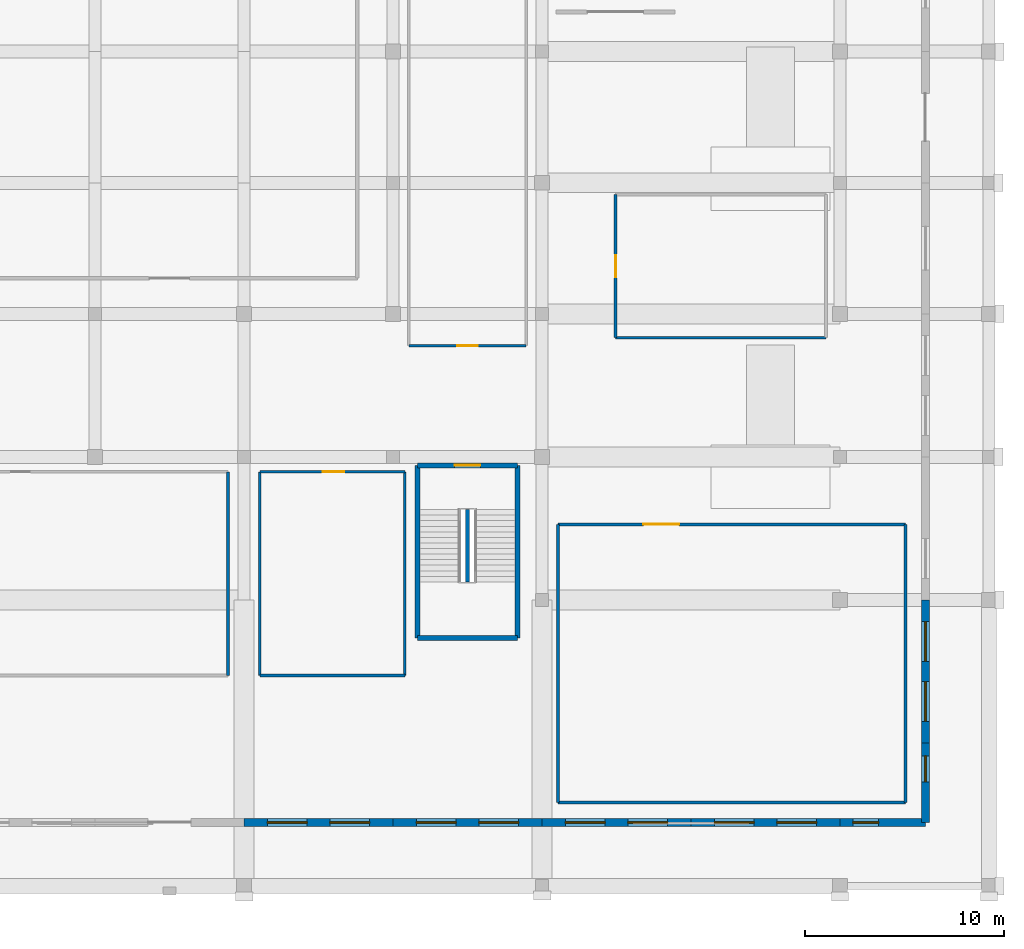
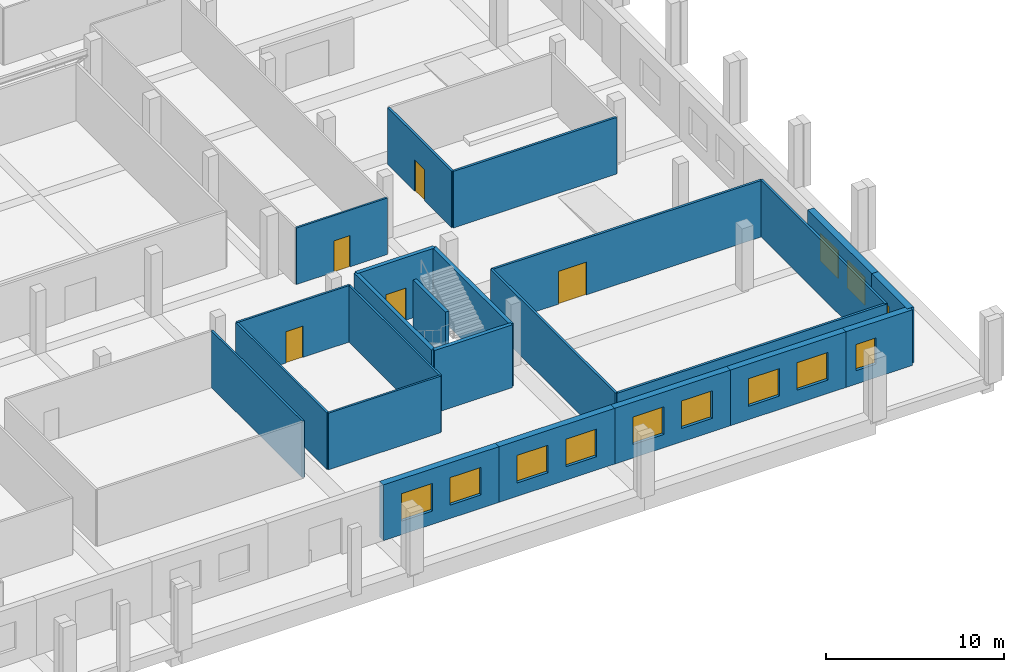
# One storey, part 22 of 33: 24 walls, 12 windows, 5 doors, 17 openings.
"""IFC4 building model written with IfcOpenShell, lengths in metres."""

from ifc_helpers import new_model, si_unit, direction, frame, frame_2d, origin, place, context, subcontext, project, spatial, rectangle, extrude, material, layer, layer_set, type_object, element, fill, save


model = new_model("IFC4")

# Units and contexts
model_context = context("Model", 3, precision=1e-05, world=origin(), true_north=direction((0.0, 1.0)))
body_context = subcontext(model_context, "Body", "Model", "MODEL_VIEW")
ifc_project = project(units=[si_unit("LENGTHUNIT", "METRE"), si_unit("AREAUNIT", "SQUARE_METRE"), si_unit("VOLUMEUNIT", "CUBIC_METRE"), si_unit("PLANEANGLEUNIT", "RADIAN"), si_unit("MASSUNIT", "GRAM", prefix="KILO")], contexts=[model_context])

# Site, building, storey
site_placement = place(None, origin())
site = spatial("IfcSite", under=ifc_project, at=site_placement, CompositionType="ELEMENT")
building_placement = place(site_placement, origin())
building = spatial("IfcBuilding", under=site, at=building_placement, Name="Akrevak Sports Hall", CompositionType="ELEMENT")
storey_placement = place(building_placement, origin())
storey = spatial("IfcBuildingStorey", under=building, at=storey_placement, Name="L00", CompositionType="ELEMENT", Elevation=0.0)

# Wall, openings, windows
ifc_material_1 = material(Name="Limestone Ashlar", Category="stone")
ifc_layer_1 = layer(ifc_material_1, 0.090087890625, Name="Limestone Ashlar")
ifc_material_2 = material(Name="Mineral Wool Thermal Insulation", Category="insulation")
ifc_layer_2 = layer(ifc_material_2, 0.110107421875, Name="Mineral Wool Thermal Insulation")
ifc_material_3 = material(Name="Concrete C40/50", Category="concrete")
ifc_layer_3 = layer(ifc_material_3, 0.219970703125, Name="Concrete C40/50")
ifc_layer_set_1 = layer_set([ifc_layer_1, ifc_layer_2, ifc_layer_3], Name="Limestone Ashlar / Mineral Wool Thermal Insulation / Concrete C40/50")
wall_type_1 = type_object("IfcWallType", Name="ARC-WL-EXT-420", PredefinedType="SOLIDWALL", material=ifc_layer_set_1)
wall_1_placement = place(storey_placement, frame((130.5, 3.199951171875, 0.0), z_axis=(0.0, 0.0, 1.0), x_axis=(1.0, 0.0, 0.0)))
wall_1 = element("IfcWall", 1, at=wall_1_placement, inside=storey, type_object=wall_type_1, Name="South Street Arcade Limestone Wall L00-S16", PredefinedType="SOLIDWALL", context=body_context, shape_type="SweptSolid", body=[
    extrude(rectangle(XDim=7.5, YDim=0.419921875, at=frame_2d((3.75, 0.0))), origin(), (0.0, 0.0, 1.0), 3.820068359375),
])
opening_1_placement = place(wall_1_placement, frame((1.175048828125, 0.0, 0.919921875)))
opening_1 = element("IfcOpeningElement", 2, at=opening_1_placement, cuts=wall_1, Name="Opening WN-28", PredefinedType="OPENING", context=body_context, shape_type="SweptSolid", body=[
    extrude(rectangle(XDim=2.0, YDim=1.889892578125, at=frame_2d((1.0, 0.94482421875))), frame((0.0, 0.221923828125, 0.0), z_axis=(0.0, -1.0, 0.0), x_axis=(1.0, 0.0, 0.0)), (0.0, 0.0, 1.0), 0.44384765625),
])
opening_2_placement = place(wall_1_placement, frame((4.324951171875, 0.0, 0.919921875)))
opening_2 = element("IfcOpeningElement", 3, at=opening_2_placement, cuts=wall_1, Name="Opening WN-28", PredefinedType="OPENING", context=body_context, shape_type="SweptSolid", body=[
    extrude(rectangle(XDim=2.0, YDim=1.889892578125, at=frame_2d((1.0, 0.94482421875))), frame((0.0, 0.221923828125, 0.0), z_axis=(0.0, -1.0, 0.0), x_axis=(1.0, 0.0, 0.0)), (0.0, 0.0, 1.0), 0.44384765625),
])
ifc_material_4 = material(Name="Thermally Broken Bronze Frame & Double Low-E Glass", Category="glass")
window_type_1 = type_object("IfcWindowType", Name="ARC-WIN-SZ-2000x1890", PartitioningType="SINGLE_PANEL", PredefinedType="WINDOW", material=ifc_material_4)
window_1_placement = place(opening_1_placement, origin())
window_1 = element("IfcWindow", 4, at=window_1_placement, inside=storey, type_object=window_type_1, Name="Beaux-Arts Facade Window WIN-L00-S16-1", OverallHeight=1.889892578125, OverallWidth=2.0, PartitioningType="SINGLE_PANEL", PredefinedType="WINDOW", context=body_context, shape_type="SweptSolid", body=[
    extrude(rectangle(XDim=2.0, YDim=1.889892578125, at=frame_2d((1.0, 0.94482421875))), frame((0.0, 0.030029296875, 0.0), z_axis=(0.0, -1.0, 0.0), x_axis=(1.0, 0.0, 0.0)), (0.0, 0.0, 1.0), 0.06005859375),
])
fill(opening_1, window_1)
window_2_placement = place(opening_2_placement, origin())
window_2 = element("IfcWindow", 5, at=window_2_placement, inside=storey, type_object=window_type_1, Name="Beaux-Arts Facade Window WIN-L00-S16-2", OverallHeight=1.889892578125, OverallWidth=2.0, PartitioningType="SINGLE_PANEL", PredefinedType="WINDOW", context=body_context, shape_type="SweptSolid", body=[
    extrude(rectangle(XDim=2.0, YDim=1.889892578125, at=frame_2d((1.0, 0.94482421875))), frame((0.0, 0.030029296875, 0.0), z_axis=(0.0, -1.0, 0.0), x_axis=(1.0, 0.0, 0.0)), (0.0, 0.0, 1.0), 0.06005859375),
])
fill(opening_2, window_2)

wall_2_placement = place(storey_placement, frame((138.0, 3.199951171875, 0.0), z_axis=(0.0, 0.0, 1.0), x_axis=(1.0, 0.0, 0.0)))
wall_2 = element("IfcWall", 6, at=wall_2_placement, inside=storey, type_object=wall_type_1, Name="South Street Arcade Limestone Wall L00-S17", PredefinedType="SOLIDWALL", context=body_context, shape_type="SweptSolid", body=[
    extrude(rectangle(XDim=7.5, YDim=0.419921875, at=frame_2d((3.75, 0.0))), origin(), (0.0, 0.0, 1.0), 3.820068359375),
])
opening_3_placement = place(wall_2_placement, frame((1.175048828125, 0.0, 0.919921875)))
opening_3 = element("IfcOpeningElement", 7, at=opening_3_placement, cuts=wall_2, Name="Opening WN-28", PredefinedType="OPENING", context=body_context, shape_type="SweptSolid", body=[
    extrude(rectangle(XDim=2.0, YDim=1.889892578125, at=frame_2d((1.0, 0.94482421875))), frame((0.0, 0.221923828125, 0.0), z_axis=(0.0, -1.0, 0.0), x_axis=(1.0, 0.0, 0.0)), (0.0, 0.0, 1.0), 0.44384765625),
])
opening_4_placement = place(wall_2_placement, frame((4.324951171875, 0.0, 0.919921875)))
opening_4 = element("IfcOpeningElement", 8, at=opening_4_placement, cuts=wall_2, Name="Opening WN-28", PredefinedType="OPENING", context=body_context, shape_type="SweptSolid", body=[
    extrude(rectangle(XDim=2.0, YDim=1.889892578125, at=frame_2d((1.0, 0.94482421875))), frame((0.0, 0.221923828125, 0.0), z_axis=(0.0, -1.0, 0.0), x_axis=(1.0, 0.0, 0.0)), (0.0, 0.0, 1.0), 0.44384765625),
])
window_3_placement = place(opening_3_placement, origin())
window_3 = element("IfcWindow", 9, at=window_3_placement, inside=storey, type_object=window_type_1, Name="Beaux-Arts Facade Window WIN-L00-S17-1", OverallHeight=1.889892578125, OverallWidth=2.0, PartitioningType="SINGLE_PANEL", PredefinedType="WINDOW", context=body_context, shape_type="SweptSolid", body=[
    extrude(rectangle(XDim=2.0, YDim=1.889892578125, at=frame_2d((1.0, 0.94482421875))), frame((0.0, 0.030029296875, 0.0), z_axis=(0.0, -1.0, 0.0), x_axis=(1.0, 0.0, 0.0)), (0.0, 0.0, 1.0), 0.06005859375),
])
fill(opening_3, window_3)
window_4_placement = place(opening_4_placement, origin())
window_4 = element("IfcWindow", 10, at=window_4_placement, inside=storey, type_object=window_type_1, Name="Beaux-Arts Facade Window WIN-L00-S17-2", OverallHeight=1.889892578125, OverallWidth=2.0, PartitioningType="SINGLE_PANEL", PredefinedType="WINDOW", context=body_context, shape_type="SweptSolid", body=[
    extrude(rectangle(XDim=2.0, YDim=1.889892578125, at=frame_2d((1.0, 0.94482421875))), frame((0.0, 0.030029296875, 0.0), z_axis=(0.0, -1.0, 0.0), x_axis=(1.0, 0.0, 0.0)), (0.0, 0.0, 1.0), 0.06005859375),
])
fill(opening_4, window_4)

wall_3_placement = place(storey_placement, frame((145.5, 3.199951171875, 0.0), z_axis=(0.0, 0.0, 1.0), x_axis=(1.0, 0.0, 0.0)))
wall_3 = element("IfcWall", 11, at=wall_3_placement, inside=storey, type_object=wall_type_1, Name="South Street Arcade Limestone Wall L00-S18", PredefinedType="SOLIDWALL", context=body_context, shape_type="SweptSolid", body=[
    extrude(rectangle(XDim=7.5, YDim=0.419921875, at=frame_2d((3.75, 0.0))), origin(), (0.0, 0.0, 1.0), 3.820068359375),
])
opening_5_placement = place(wall_3_placement, frame((1.175048828125, 0.0, 0.919921875)))
opening_5 = element("IfcOpeningElement", 12, at=opening_5_placement, cuts=wall_3, Name="Opening WN-28", PredefinedType="OPENING", context=body_context, shape_type="SweptSolid", body=[
    extrude(rectangle(XDim=2.0, YDim=1.889892578125, at=frame_2d((1.0, 0.94482421875))), frame((0.0, 0.221923828125, 0.0), z_axis=(0.0, -1.0, 0.0), x_axis=(1.0, 0.0, 0.0)), (0.0, 0.0, 1.0), 0.44384765625),
])
opening_6_placement = place(wall_3_placement, frame((4.324951171875, 0.0, 0.919921875)))
opening_6 = element("IfcOpeningElement", 13, at=opening_6_placement, cuts=wall_3, Name="Opening WN-28", PredefinedType="OPENING", context=body_context, shape_type="SweptSolid", body=[
    extrude(rectangle(XDim=2.0, YDim=1.889892578125, at=frame_2d((1.0, 0.94482421875))), frame((0.0, 0.221923828125, 0.0), z_axis=(0.0, -1.0, 0.0), x_axis=(1.0, 0.0, 0.0)), (0.0, 0.0, 1.0), 0.44384765625),
])
window_5_placement = place(opening_5_placement, origin())
window_5 = element("IfcWindow", 14, at=window_5_placement, inside=storey, type_object=window_type_1, Name="Beaux-Arts Facade Window WIN-L00-S18-1", OverallHeight=1.889892578125, OverallWidth=2.0, PartitioningType="SINGLE_PANEL", PredefinedType="WINDOW", context=body_context, shape_type="SweptSolid", body=[
    extrude(rectangle(XDim=2.0, YDim=1.889892578125, at=frame_2d((1.0, 0.94482421875))), frame((0.0, 0.030029296875, 0.0), z_axis=(0.0, -1.0, 0.0), x_axis=(1.0, 0.0, 0.0)), (0.0, 0.0, 1.0), 0.06005859375),
])
fill(opening_5, window_5)
window_6_placement = place(opening_6_placement, origin())
window_6 = element("IfcWindow", 15, at=window_6_placement, inside=storey, type_object=window_type_1, Name="Beaux-Arts Facade Window WIN-L00-S18-2", OverallHeight=1.889892578125, OverallWidth=2.0, PartitioningType="SINGLE_PANEL", PredefinedType="WINDOW", context=body_context, shape_type="SweptSolid", body=[
    extrude(rectangle(XDim=2.0, YDim=1.889892578125, at=frame_2d((1.0, 0.94482421875))), frame((0.0, 0.030029296875, 0.0), z_axis=(0.0, -1.0, 0.0), x_axis=(1.0, 0.0, 0.0)), (0.0, 0.0, 1.0), 0.06005859375),
])
fill(opening_6, window_6)

wall_4_placement = place(storey_placement, frame((153.0, 3.199951171875, 0.0), z_axis=(0.0, 0.0, 1.0), x_axis=(1.0, 0.0, 0.0)))
wall_4 = element("IfcWall", 16, at=wall_4_placement, inside=storey, type_object=wall_type_1, Name="South Street Arcade Limestone Wall L00-S19", PredefinedType="SOLIDWALL", context=body_context, shape_type="SweptSolid", body=[
    extrude(rectangle(XDim=7.5, YDim=0.419921875, at=frame_2d((3.75, 0.0))), origin(), (0.0, 0.0, 1.0), 3.820068359375),
])
opening_7_placement = place(wall_4_placement, frame((1.175048828125, 0.0, 0.919921875)))
opening_7 = element("IfcOpeningElement", 17, at=opening_7_placement, cuts=wall_4, Name="Opening WN-28", PredefinedType="OPENING", context=body_context, shape_type="SweptSolid", body=[
    extrude(rectangle(XDim=2.0, YDim=1.889892578125, at=frame_2d((1.0, 0.94482421875))), frame((0.0, 0.221923828125, 0.0), z_axis=(0.0, -1.0, 0.0), x_axis=(1.0, 0.0, 0.0)), (0.0, 0.0, 1.0), 0.44384765625),
])
opening_8_placement = place(wall_4_placement, frame((4.324951171875, 0.0, 0.919921875)))
opening_8 = element("IfcOpeningElement", 18, at=opening_8_placement, cuts=wall_4, Name="Opening WN-28", PredefinedType="OPENING", context=body_context, shape_type="SweptSolid", body=[
    extrude(rectangle(XDim=2.0, YDim=1.889892578125, at=frame_2d((1.0, 0.94482421875))), frame((0.0, 0.221923828125, 0.0), z_axis=(0.0, -1.0, 0.0), x_axis=(1.0, 0.0, 0.0)), (0.0, 0.0, 1.0), 0.44384765625),
])
window_7_placement = place(opening_7_placement, origin())
window_7 = element("IfcWindow", 19, at=window_7_placement, inside=storey, type_object=window_type_1, Name="Beaux-Arts Facade Window WIN-L00-S19-1", OverallHeight=1.889892578125, OverallWidth=2.0, PartitioningType="SINGLE_PANEL", PredefinedType="WINDOW", context=body_context, shape_type="SweptSolid", body=[
    extrude(rectangle(XDim=2.0, YDim=1.889892578125, at=frame_2d((1.0, 0.94482421875))), frame((0.0, 0.030029296875, 0.0), z_axis=(0.0, -1.0, 0.0), x_axis=(1.0, 0.0, 0.0)), (0.0, 0.0, 1.0), 0.06005859375),
])
fill(opening_7, window_7)
window_8_placement = place(opening_8_placement, origin())
window_8 = element("IfcWindow", 20, at=window_8_placement, inside=storey, type_object=window_type_1, Name="Beaux-Arts Facade Window WIN-L00-S19-2", OverallHeight=1.889892578125, OverallWidth=2.0, PartitioningType="SINGLE_PANEL", PredefinedType="WINDOW", context=body_context, shape_type="SweptSolid", body=[
    extrude(rectangle(XDim=2.0, YDim=1.889892578125, at=frame_2d((1.0, 0.94482421875))), frame((0.0, 0.030029296875, 0.0), z_axis=(0.0, -1.0, 0.0), x_axis=(1.0, 0.0, 0.0)), (0.0, 0.0, 1.0), 0.06005859375),
])
fill(opening_8, window_8)

# Wall, opening, window
wall_5_placement = place(storey_placement, frame((160.5, 3.199951171875, 0.0), z_axis=(0.0, 0.0, 1.0), x_axis=(1.0, 0.0, 0.0)))
wall_5 = element("IfcWall", 21, at=wall_5_placement, inside=storey, type_object=wall_type_1, Name="South Street Arcade Limestone Wall L00-S20", PredefinedType="SOLIDWALL", context=body_context, shape_type="SweptSolid", body=[
    extrude(rectangle(XDim=4.300048828125, YDim=0.419921875, at=frame_2d((2.14990234375, 0.0))), origin(), (0.0, 0.0, 1.0), 3.820068359375),
])
opening_9_placement = place(wall_5_placement, frame((0.64990234375, 0.0, 0.919921875)))
opening_9 = element("IfcOpeningElement", 22, at=opening_9_placement, cuts=wall_5, Name="Opening WN-12", PredefinedType="OPENING", context=body_context, shape_type="SweptSolid", body=[
    extrude(rectangle(XDim=1.300048828125, YDim=1.800048828125, at=frame_2d((0.64990234375, 0.89990234375))), frame((0.0, 0.221923828125, 0.0), z_axis=(0.0, -1.0, 0.0), x_axis=(1.0, 0.0, 0.0)), (0.0, 0.0, 1.0), 0.44384765625),
])
window_type_2 = type_object("IfcWindowType", Name="ARC-WIN-TW-130x180", PartitioningType="SINGLE_PANEL", PredefinedType="WINDOW", material=ifc_material_4)
window_9_placement = place(opening_9_placement, origin())
window_9 = element("IfcWindow", 23, at=window_9_placement, inside=storey, type_object=window_type_2, Name="Beaux-Arts Facade Window WIN-L00-S20", OverallHeight=1.800048828125, OverallWidth=1.300048828125, PartitioningType="SINGLE_PANEL", PredefinedType="WINDOW", context=body_context, shape_type="SweptSolid", body=[
    extrude(rectangle(XDim=1.300048828125, YDim=1.800048828125, at=frame_2d((0.64990234375, 0.89990234375))), frame((0.0, 0.030029296875, 0.0), z_axis=(0.0, -1.0, 0.0), x_axis=(1.0, 0.0, 0.0)), (0.0, 0.0, 1.0), 0.06005859375),
])
fill(opening_9, window_9)

wall_6_placement = place(storey_placement, frame((164.800048828125, 3.199951171875, 0.0), z_axis=(0.0, 0.0, 1.0), x_axis=(0.0, 1.0, 0.0)))
wall_6 = element("IfcWall", 24, at=wall_6_placement, inside=storey, type_object=wall_type_1, Name="East Avenue Arcade Limestone Wall L00-E01", PredefinedType="SOLIDWALL", context=body_context, shape_type="SweptSolid", body=[
    extrude(rectangle(XDim=4.0, YDim=0.419921875, at=frame_2d((2.0, 0.0))), origin(), (0.0, 0.0, 1.0), 3.820068359375),
])
opening_10_placement = place(wall_6_placement, frame((2.050048828125, 0.0, 0.919921875)))
opening_10 = element("IfcOpeningElement", 25, at=opening_10_placement, cuts=wall_6, Name="Opening WN-12", PredefinedType="OPENING", context=body_context, shape_type="SweptSolid", body=[
    extrude(rectangle(XDim=1.300048828125, YDim=1.800048828125, at=frame_2d((0.64990234375, 0.89990234375))), frame((0.0, 0.221923828125, 0.0), z_axis=(0.0, -1.0, 0.0), x_axis=(1.0, 0.0, 0.0)), (0.0, 0.0, 1.0), 0.44384765625),
])
window_10_placement = place(opening_10_placement, origin())
window_10 = element("IfcWindow", 26, at=window_10_placement, inside=storey, type_object=window_type_2, Name="Beaux-Arts Facade Window WIN-L00-E01", OverallHeight=1.800048828125, OverallWidth=1.300048828125, PartitioningType="SINGLE_PANEL", PredefinedType="WINDOW", context=body_context, shape_type="SweptSolid", body=[
    extrude(rectangle(XDim=1.300048828125, YDim=1.800048828125, at=frame_2d((0.64990234375, 0.89990234375))), frame((0.0, 0.030029296875, 0.0), z_axis=(0.0, -1.0, 0.0), x_axis=(1.0, 0.0, 0.0)), (0.0, 0.0, 1.0), 0.06005859375),
])
fill(opening_10, window_10)

# Wall, openings, windows
wall_7_placement = place(storey_placement, frame((164.800048828125, 7.199951171875, 0.0), z_axis=(0.0, 0.0, 1.0), x_axis=(0.0, 1.0, 0.0)))
wall_7 = element("IfcWall", 27, at=wall_7_placement, inside=storey, type_object=wall_type_1, Name="East Avenue Arcade Limestone Wall L00-E02", PredefinedType="SOLIDWALL", context=body_context, shape_type="SweptSolid", body=[
    extrude(rectangle(XDim=7.199951171875, YDim=0.419921875, at=frame_2d((3.60009765625, 0.0))), origin(), (0.0, 0.0, 1.0), 3.820068359375),
])
opening_11_placement = place(wall_7_placement, frame((1.087890625, 0.0, 0.919921875)))
opening_11 = element("IfcOpeningElement", 28, at=opening_11_placement, cuts=wall_7, Name="Opening WN-28", PredefinedType="OPENING", context=body_context, shape_type="SweptSolid", body=[
    extrude(rectangle(XDim=2.0, YDim=1.889892578125, at=frame_2d((1.0, 0.94482421875))), frame((0.0, 0.221923828125, 0.0), z_axis=(0.0, -1.0, 0.0), x_axis=(1.0, 0.0, 0.0)), (0.0, 0.0, 1.0), 0.44384765625),
])
opening_12_placement = place(wall_7_placement, frame((4.112060546875, 0.0, 0.919921875)))
opening_12 = element("IfcOpeningElement", 29, at=opening_12_placement, cuts=wall_7, Name="Opening WN-28", PredefinedType="OPENING", context=body_context, shape_type="SweptSolid", body=[
    extrude(rectangle(XDim=2.0, YDim=1.889892578125, at=frame_2d((1.0, 0.94482421875))), frame((0.0, 0.221923828125, 0.0), z_axis=(0.0, -1.0, 0.0), x_axis=(1.0, 0.0, 0.0)), (0.0, 0.0, 1.0), 0.44384765625),
])
window_11_placement = place(opening_11_placement, origin())
window_11 = element("IfcWindow", 30, at=window_11_placement, inside=storey, type_object=window_type_1, Name="Beaux-Arts Facade Window WIN-L00-E02-1", OverallHeight=1.889892578125, OverallWidth=2.0, PartitioningType="SINGLE_PANEL", PredefinedType="WINDOW", context=body_context, shape_type="SweptSolid", body=[
    extrude(rectangle(XDim=2.0, YDim=1.889892578125, at=frame_2d((1.0, 0.94482421875))), frame((0.0, 0.030029296875, 0.0), z_axis=(0.0, -1.0, 0.0), x_axis=(1.0, 0.0, 0.0)), (0.0, 0.0, 1.0), 0.06005859375),
])
fill(opening_11, window_11)
window_12_placement = place(opening_12_placement, origin())
window_12 = element("IfcWindow", 31, at=window_12_placement, inside=storey, type_object=window_type_1, Name="Beaux-Arts Facade Window WIN-L00-E02-2", OverallHeight=1.889892578125, OverallWidth=2.0, PartitioningType="SINGLE_PANEL", PredefinedType="WINDOW", context=body_context, shape_type="SweptSolid", body=[
    extrude(rectangle(XDim=2.0, YDim=1.889892578125, at=frame_2d((1.0, 0.94482421875))), frame((0.0, 0.030029296875, 0.0), z_axis=(0.0, -1.0, 0.0), x_axis=(1.0, 0.0, 0.0)), (0.0, 0.0, 1.0), 0.06005859375),
])
fill(opening_12, window_12)

# Wall, opening, door
ifc_material_5 = material(Name="Standard Metal Stud Partition", Category="gypsum")
ifc_layer_4 = layer(ifc_material_5, 0.1201171875, Name="Standard Metal Stud Partition")
ifc_layer_set_2 = layer_set([ifc_layer_4], Name="Standard Metal Stud Partition")
wall_type_2 = type_object("IfcWallType", Name="ARC-WL-PRT-120", PredefinedType="PARTITIONING", material=ifc_layer_set_2)
wall_8_placement = place(storey_placement, frame((138.800048828125, 27.199951171875, 0.0), z_axis=(0.0, 0.0, 1.0), x_axis=(1.0, 0.0, 0.0)))
wall_8 = element("IfcWall", 32, at=wall_8_placement, inside=storey, type_object=wall_type_2, Name="Interior Partition Climbing Competition Judges & Isolation Room L00 (S)", PredefinedType="PARTITIONING", context=body_context, shape_type="SweptSolid", body=[
    extrude(rectangle(XDim=5.89990234375, YDim=0.1201171875, at=frame_2d((2.949951171875, 0.0))), origin(), (0.0, 0.0, 1.0), 3.8798828125),
])
opening_13_placement = place(wall_8_placement, frame((2.425048828125, 0.0, 0.0)))
opening_13 = element("IfcOpeningElement", 33, at=opening_13_placement, cuts=wall_8, Name="Opening ID-05", PredefinedType="OPENING", context=body_context, shape_type="SweptSolid", body=[
    extrude(rectangle(XDim=1.050048828125, YDim=2.14990234375, at=frame_2d((0.52490234375, 1.074951171875))), frame((0.0, 0.072021484375, 0.0), z_axis=(0.0, -1.0, 0.0), x_axis=(1.0, 0.0, 0.0)), (0.0, 0.0, 1.0), 0.14404296875),
])
ifc_material_6 = material(Name="Hardwood Oak Acoustic Leaf", Category="wood")
door_type_1 = type_object("IfcDoorType", Name="ARC-DR-OFF-105x215", OperationType="NOTDEFINED", PredefinedType="DOOR", material=ifc_material_6)
door_1_placement = place(opening_13_placement, frame((1.050048828125, 0.0, 0.0), z_axis=(0.0, 0.0, 1.0), x_axis=(-1.0, 0.0, 0.0)))
door_1 = element("IfcDoor", 34, at=door_1_placement, inside=storey, type_object=door_type_1, Name="Door to Climbing Competition Judges & Isolation Room L00", OperationType="SINGLE_SWING_RIGHT", OverallHeight=2.14990234375, OverallWidth=1.050048828125, PredefinedType="DOOR", context=body_context, shape_type="SweptSolid", body=[
    extrude(rectangle(XDim=1.050048828125, YDim=2.14990234375, at=frame_2d((0.52490234375, 1.074951171875))), frame((0.0, 0.02490234375, 0.0), z_axis=(0.0, -1.0, 0.0), x_axis=(1.0, 0.0, 0.0)), (0.0, 0.0, 1.0), 0.050048828125),
])
fill(opening_13, door_1)

# Wall
ifc_material_7 = material(Name="Acoustic Metal Stud Partition", Category="gypsum")
ifc_layer_5 = layer(ifc_material_7, 0.1298828125, Name="Acoustic Metal Stud Partition")
ifc_layer_set_3 = layer_set([ifc_layer_5], Name="Acoustic Metal Stud Partition")
wall_type_3 = type_object("IfcWallType", Name="ARC-WL-PRT-130", PredefinedType="PARTITIONING", material=ifc_layer_set_3)
wall_9_placement = place(storey_placement, frame((131.300048828125, 10.60009765625, 0.0), z_axis=(0.0, 0.0, 1.0), x_axis=(1.0, 0.0, 0.0)))
element("IfcWall", 35, at=wall_9_placement, inside=storey, type_object=wall_type_3, Name="Interior Partition South-East Sports Clinic Imaging Room L00 (S)", PredefinedType="PARTITIONING", context=body_context, shape_type="SweptSolid", body=[
    extrude(rectangle(XDim=7.300048828125, YDim=0.1298828125, at=frame_2d((3.64990234375, 0.0))), origin(), (0.0, 0.0, 1.0), 3.8798828125),
])

# Wall, opening, door
wall_10_placement = place(storey_placement, frame((131.300048828125, 20.85009765625, 0.0), z_axis=(0.0, 0.0, 1.0), x_axis=(1.0, 0.0, 0.0)))
wall_10 = element("IfcWall", 36, at=wall_10_placement, inside=storey, type_object=wall_type_3, Name="Interior Partition South-East Sports Clinic Imaging Room L00 (N)", PredefinedType="PARTITIONING", context=body_context, shape_type="SweptSolid", body=[
    extrude(rectangle(XDim=7.300048828125, YDim=0.1298828125, at=frame_2d((3.64990234375, 0.0))), origin(), (0.0, 0.0, 1.0), 3.8798828125),
])
opening_14_placement = place(wall_10_placement, frame((3.14990234375, 0.0, 0.0)))
opening_14 = element("IfcOpeningElement", 37, at=opening_14_placement, cuts=wall_10, Name="Opening ID-04", PredefinedType="OPENING", context=body_context, shape_type="SweptSolid", body=[
    extrude(rectangle(XDim=1.10009765625, YDim=2.14990234375, at=frame_2d((0.550048828125, 1.074951171875))), frame((0.0, 0.076904296875, 0.0), z_axis=(0.0, -1.0, 0.0), x_axis=(1.0, 0.0, 0.0)), (0.0, 0.0, 1.0), 0.15380859375),
])
door_type_2 = type_object("IfcDoorType", Name="ARC-DR-OFF-110x215", OperationType="NOTDEFINED", PredefinedType="DOOR", material=ifc_material_6)
door_2_placement = place(opening_14_placement, frame((1.10009765625, 0.0, 0.0), z_axis=(0.0, 0.0, 1.0), x_axis=(-1.0, 0.0, 0.0)))
door_2 = element("IfcDoor", 38, at=door_2_placement, inside=storey, type_object=door_type_2, Name="Door to South-East Sports Clinic Imaging Room L00", OperationType="SINGLE_SWING_RIGHT", OverallHeight=2.14990234375, OverallWidth=1.10009765625, PredefinedType="DOOR", context=body_context, shape_type="SweptSolid", body=[
    extrude(rectangle(XDim=1.10009765625, YDim=2.14990234375, at=frame_2d((0.550048828125, 1.074951171875))), frame((0.0, 0.02490234375, 0.0), z_axis=(0.0, -1.0, 0.0), x_axis=(1.0, 0.0, 0.0)), (0.0, 0.0, 1.0), 0.050048828125),
])
fill(opening_14, door_2)

# Walls
for number, where, z_axis, x_axis, name in (
    (39, (131.300048828125, 10.60009765625, 0.0), (0.0, 0.0, 1.0), (0.0, 1.0, 0.0), "Interior Partition South-East Sports Clinic Imaging Room L00 (W)"),
    (40, (138.60009765625, 10.60009765625, 0.0), (0.0, 0.0, 1.0), (0.0, 1.0, 0.0), "Interior Partition South-East Sports Clinic Imaging Room L00 (E)"),
):
    element("IfcWall", number, at=place(storey_placement, frame(where, z_axis=z_axis, x_axis=x_axis)), inside=storey, type_object=wall_type_3, Name=name, PredefinedType="PARTITIONING", context=body_context, shape_type="SweptSolid", body=[
        extrude(rectangle(XDim=10.25, YDim=0.1298828125, at=frame_2d((5.125, 0.0))), origin(), (0.0, 0.0, 1.0), 3.8798828125),
    ])
ifc_material_8 = material(Name="Moisture-Resistant Wet-Area Partition", Category="gypsum")
ifc_layer_6 = layer(ifc_material_8, 0.139892578125, Name="Moisture-Resistant Wet-Area Partition")
ifc_layer_set_4 = layer_set([ifc_layer_6], Name="Moisture-Resistant Wet-Area Partition")
wall_type_4 = type_object("IfcWallType", Name="ARC-WL-PRT-140", PredefinedType="PARTITIONING", material=ifc_layer_set_4)
wall_11_placement = place(storey_placement, frame((129.699951171875, 10.60009765625, 0.0), z_axis=(0.0, 0.0, 1.0), x_axis=(0.0, 1.0, 0.0)))
element("IfcWall", 41, at=wall_11_placement, inside=storey, type_object=wall_type_4, Name="Interior Partition Public Spectator WC Suite South (E)", PredefinedType="PARTITIONING", context=body_context, shape_type="SweptSolid", body=[
    extrude(rectangle(XDim=10.25, YDim=0.139892578125, at=frame_2d((5.125, 0.0))), origin(), (0.0, 0.0, 1.0), 3.8798828125),
])
ifc_material_9 = material(Name="Double Stud Acoustic Gypsum Partition", Category="gypsum")
ifc_layer_7 = layer(ifc_material_9, 0.14990234375, Name="Double Stud Acoustic Gypsum Partition")
ifc_layer_set_5 = layer_set([ifc_layer_7], Name="Double Stud Acoustic Gypsum Partition")
wall_type_5 = type_object("IfcWallType", Name="ARC-WL-PRT-150", PredefinedType="PARTITIONING", material=ifc_layer_set_5)
wall_12_placement = place(storey_placement, frame((146.300048828125, 4.199951171875, 0.0), z_axis=(0.0, 0.0, 1.0), x_axis=(1.0, 0.0, 0.0)))
element("IfcWall", 42, at=wall_12_placement, inside=storey, type_object=wall_type_5, Name="Interior Partition South-East Athletic Gear Storage L00 (S)", PredefinedType="PARTITIONING", context=body_context, shape_type="SweptSolid", body=[
    extrude(rectangle(XDim=17.5, YDim=0.14990234375, at=frame_2d((8.75, 0.0))), origin(), (0.0, 0.0, 1.0), 3.8798828125),
])

# Wall, opening, door
wall_13_placement = place(storey_placement, frame((146.300048828125, 18.199951171875, 0.0), z_axis=(0.0, 0.0, 1.0), x_axis=(1.0, 0.0, 0.0)))
wall_13 = element("IfcWall", 43, at=wall_13_placement, inside=storey, type_object=wall_type_5, Name="Interior Partition South-East Athletic Gear Storage L00 (N)", PredefinedType="PARTITIONING", context=body_context, shape_type="SweptSolid", body=[
    extrude(rectangle(XDim=17.5, YDim=0.14990234375, at=frame_2d((8.75, 0.0))), origin(), (0.0, 0.0, 1.0), 3.8798828125),
])
opening_15_placement = place(wall_13_placement, frame((4.300048828125, 0.0, 0.0)))
opening_15 = element("IfcOpeningElement", 44, at=opening_15_placement, cuts=wall_13, Name="Opening ID-02", PredefinedType="OPENING", context=body_context, shape_type="SweptSolid", body=[
    extrude(rectangle(XDim=1.800048828125, YDim=2.25, at=frame_2d((0.89990234375, 1.125))), frame((0.0, 0.0869140625, 0.0), z_axis=(0.0, -1.0, 0.0), x_axis=(1.0, 0.0, 0.0)), (0.0, 0.0, 1.0), 0.173828125),
])
ifc_material_10 = material(Name="Hardwood Oak & Safety Glass", Category="wood")
door_type_3 = type_object("IfcDoorType", Name="ARC-DR-HALL-180x225", OperationType="DOUBLE_DOOR_SINGLE_SWING", PredefinedType="DOOR", material=ifc_material_10)
door_3_placement = place(opening_15_placement, origin())
door_3 = element("IfcDoor", 45, at=door_3_placement, inside=storey, type_object=door_type_3, Name="Door to South-East Athletic Gear Storage L00", OperationType="DOUBLE_DOOR_SINGLE_SWING", OverallHeight=2.25, OverallWidth=1.800048828125, PredefinedType="DOOR", context=body_context, shape_type="SweptSolid", body=[
    extrude(rectangle(XDim=1.800048828125, YDim=2.25, at=frame_2d((0.89990234375, 1.125))), frame((0.0, 0.02490234375, 0.0), z_axis=(0.0, -1.0, 0.0), x_axis=(1.0, 0.0, 0.0)), (0.0, 0.0, 1.0), 0.050048828125),
])
fill(opening_15, door_3)

# Walls
for number, where, z_axis, x_axis, name in (
    (46, (146.300048828125, 4.199951171875, 0.0), (0.0, 0.0, 1.0), (0.0, 1.0, 0.0), "Interior Partition South-East Athletic Gear Storage L00 (W)"),
    (47, (163.800048828125, 4.199951171875, 0.0), (0.0, 0.0, 1.0), (0.0, 1.0, 0.0), "Interior Partition South-East Athletic Gear Storage L00 (E)"),
):
    element("IfcWall", number, at=place(storey_placement, frame(where, z_axis=z_axis, x_axis=x_axis)), inside=storey, type_object=wall_type_5, Name=name, PredefinedType="PARTITIONING", context=body_context, shape_type="SweptSolid", body=[
        extrude(rectangle(XDim=14.0, YDim=0.14990234375, at=frame_2d((7.0, 0.0))), origin(), (0.0, 0.0, 1.0), 3.8798828125),
    ])
wall_14_placement = place(storey_placement, frame((149.199951171875, 27.60009765625, 0.0), z_axis=(0.0, 0.0, 1.0), x_axis=(1.0, 0.0, 0.0)))
element("IfcWall", 48, at=wall_14_placement, inside=storey, type_object=wall_type_5, Name="Interior Partition East Boulevard Athletic Conditioning Office L00 (S)", PredefinedType="PARTITIONING", context=body_context, shape_type="SweptSolid", body=[
    extrude(rectangle(XDim=10.60009765625, YDim=0.14990234375, at=frame_2d((5.300048828125, 0.0))), origin(), (0.0, 0.0, 1.0), 3.8798828125),
])

# Wall, opening, door
wall_15_placement = place(storey_placement, frame((149.199951171875, 27.60009765625, 0.0), z_axis=(0.0, 0.0, 1.0), x_axis=(0.0, 1.0, 0.0)))
wall_15 = element("IfcWall", 49, at=wall_15_placement, inside=storey, type_object=wall_type_5, Name="Interior Partition East Boulevard Athletic Conditioning Office L00 (W)", PredefinedType="PARTITIONING", context=body_context, shape_type="SweptSolid", body=[
    extrude(rectangle(XDim=7.199951171875, YDim=0.14990234375, at=frame_2d((3.60009765625, 0.0))), origin(), (0.0, 0.0, 1.0), 3.8798828125),
])
opening_16_placement = place(wall_15_placement, frame((3.050048828125, 0.0, 0.0)))
opening_16 = element("IfcOpeningElement", 50, at=opening_16_placement, cuts=wall_15, Name="Opening ID-04", PredefinedType="OPENING", context=body_context, shape_type="SweptSolid", body=[
    extrude(rectangle(XDim=1.10009765625, YDim=2.14990234375, at=frame_2d((0.550048828125, 1.074951171875))), frame((0.0, 0.0869140625, 0.0), z_axis=(0.0, -1.0, 0.0), x_axis=(1.0, 0.0, 0.0)), (0.0, 0.0, 1.0), 0.173828125),
])
door_4_placement = place(opening_16_placement, origin())
door_4 = element("IfcDoor", 51, at=door_4_placement, inside=storey, type_object=door_type_2, Name="Door to East Boulevard Athletic Conditioning Office L00", OperationType="SINGLE_SWING_LEFT", OverallHeight=2.14990234375, OverallWidth=1.10009765625, PredefinedType="DOOR", context=body_context, shape_type="SweptSolid", body=[
    extrude(rectangle(XDim=1.10009765625, YDim=2.14990234375, at=frame_2d((0.550048828125, 1.074951171875))), frame((0.0, 0.02490234375, 0.0), z_axis=(0.0, -1.0, 0.0), x_axis=(1.0, 0.0, 0.0)), (0.0, 0.0, 1.0), 0.050048828125),
])
fill(opening_16, door_4)

# Walls
ifc_layer_8 = layer(ifc_material_3, 0.219970703125, Name="Concrete C40/50")
ifc_layer_set_6 = layer_set([ifc_layer_8], Name="Concrete C40/50")
wall_type_6 = type_object("IfcWallType", Name="ARC-WL-PRT-220", PredefinedType="PARTITIONING", material=ifc_layer_set_6)
wall_16_placement = place(storey_placement, frame((141.75, 15.31005859375, 0.0), z_axis=(0.0, 0.0, 1.0), x_axis=(0.0, 1.0, 0.0)))
element("IfcWall", 52, at=wall_16_placement, inside=storey, type_object=wall_type_6, Name="Stair ST7 Central Spine Wall (L00)", PredefinedType="PARTITIONING", context=body_context, shape_type="SweptSolid", body=[
    extrude(rectangle(XDim=3.639892578125, YDim=0.219970703125, at=frame_2d((1.81982421875, 0.0))), origin(), (0.0, 0.0, 1.0), 4.300048828125),
])
ifc_material_11 = material(Name="Concrete C50/60", Category="concrete")
ifc_layer_9 = layer(ifc_material_11, 0.25, Name="Concrete C50/60")
ifc_layer_set_7 = layer_set([ifc_layer_9], Name="Concrete C50/60")
wall_type_7 = type_object("IfcWallType", Name="STR-WL-STAIR-250", PredefinedType="SHEAR", material=ifc_layer_set_7)
wall_17_placement = place(storey_placement, frame((139.22509765625, 12.47509765625, 0.0), z_axis=(0.0, 0.0, 1.0), x_axis=(1.0, 0.0, 0.0)))
element("IfcWall", 53, at=wall_17_placement, inside=storey, type_object=wall_type_7, Name="Stair Core ST7 Shear Wall S (L00)", PredefinedType="SHEAR", context=body_context, shape_type="SweptSolid", body=[
    extrude(rectangle(XDim=5.0498046875, YDim=0.25, at=frame_2d((2.52490234375, 0.0))), origin(), (0.0, 0.0, 1.0), 4.300048828125),
])

# Wall, opening, door
wall_18_placement = place(storey_placement, frame((144.27490234375, 21.175048828125, 0.0), z_axis=(0.0, 0.0, 1.0), x_axis=(-1.0, 0.0, 0.0)))
wall_18 = element("IfcWall", 54, at=wall_18_placement, inside=storey, type_object=wall_type_7, Name="Stair Core ST7 Shear Wall N (L00)", PredefinedType="SHEAR", context=body_context, shape_type="SweptSolid", body=[
    extrude(rectangle(XDim=5.0498046875, YDim=0.25, at=frame_2d((2.52490234375, 0.0))), origin(), (0.0, 0.0, 1.0), 4.300048828125),
])
opening_17_placement = place(wall_18_placement, frame((1.875, 0.0, 0.0)))
opening_17 = element("IfcOpeningElement", 55, at=opening_17_placement, cuts=wall_18, Name="Opening SD-01", PredefinedType="OPENING", context=body_context, shape_type="SweptSolid", body=[
    extrude(rectangle(XDim=1.300048828125, YDim=2.199951171875, at=frame_2d((0.64990234375, 1.10009765625))), frame((0.0, 0.136962890625, 0.0), z_axis=(0.0, -1.0, 0.0), x_axis=(1.0, 0.0, 0.0)), (0.0, 0.0, 1.0), 0.27392578125),
])
ifc_material_12 = material(Name="Fire-Rated Galvanized Door Steel", Category="steel")
door_type_4 = type_object("IfcDoorType", Name="ARC-DR-STAIR-130x220", OperationType="NOTDEFINED", PredefinedType="DOOR", material=ifc_material_12)
door_5_placement = place(opening_17_placement, frame((1.300048828125, 0.0, 0.0), z_axis=(0.0, 0.0, 1.0), x_axis=(-1.0, 0.0, 0.0)))
door_5 = element("IfcDoor", 56, at=door_5_placement, inside=storey, type_object=door_type_4, Name="Exit Stair ST7 Door (L00)", OperationType="SINGLE_SWING_RIGHT", OverallHeight=2.199951171875, OverallWidth=1.300048828125, PredefinedType="DOOR", context=body_context, shape_type="SweptSolid", body=[
    extrude(rectangle(XDim=1.300048828125, YDim=2.199951171875, at=frame_2d((0.64990234375, 1.10009765625))), frame((0.0, 0.02490234375, 0.0), z_axis=(0.0, -1.0, 0.0), x_axis=(1.0, 0.0, 0.0)), (0.0, 0.0, 1.0), 0.050048828125),
])
fill(opening_17, door_5)

# Walls
for number, where, z_axis, x_axis, name in (
    (57, (139.22509765625, 21.175048828125, 0.0), (0.0, 0.0, 1.0), (0.0, -1.0, 0.0), "Stair Core ST7 Shear Wall W (L00)"),
    (58, (144.27490234375, 12.47509765625, 0.0), (0.0, 0.0, 1.0), (0.0, 1.0, 0.0), "Stair Core ST7 Shear Wall E (L00)"),
):
    element("IfcWall", number, at=place(storey_placement, frame(where, z_axis=z_axis, x_axis=x_axis)), inside=storey, type_object=wall_type_7, Name=name, PredefinedType="SHEAR", context=body_context, shape_type="SweptSolid", body=[
        extrude(rectangle(XDim=8.699951171875, YDim=0.25, at=frame_2d((4.35009765625, 0.0))), origin(), (0.0, 0.0, 1.0), 4.300048828125),
    ])

save(model, "model.ifc")
